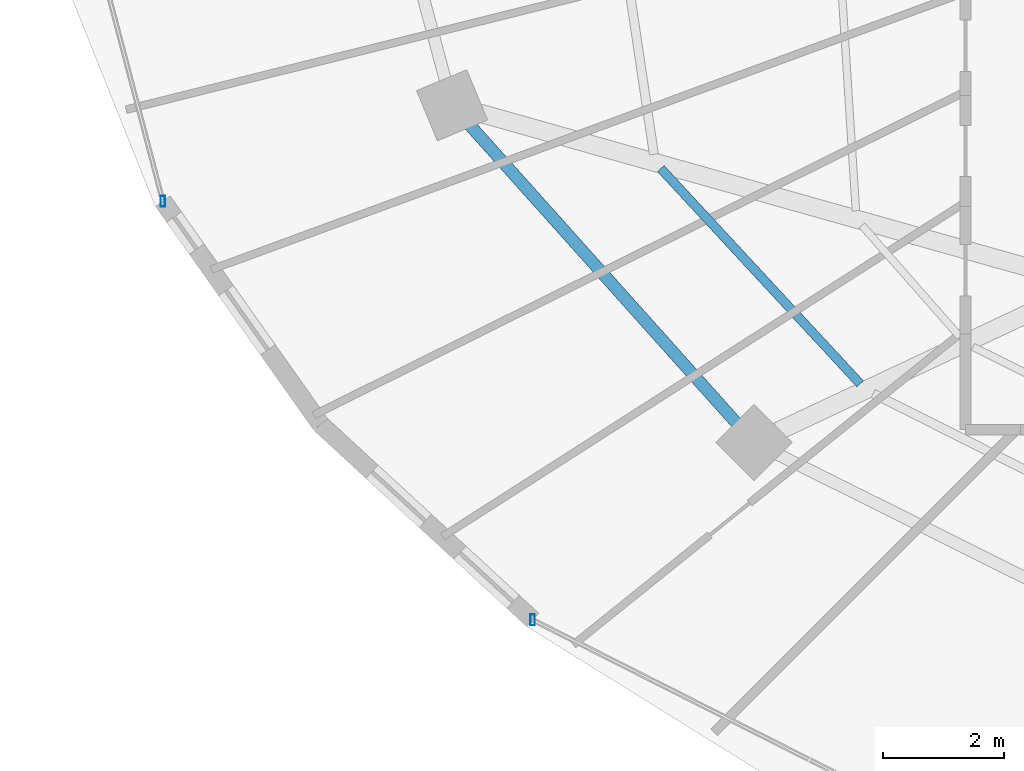
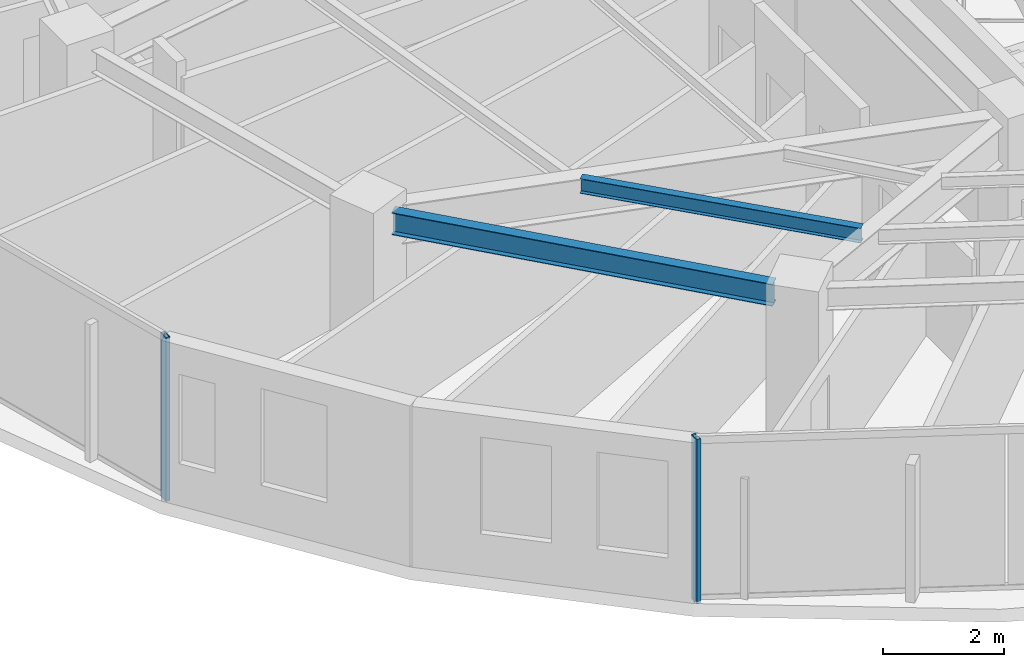
# One storey, part 2 of 33: 2 beams, 2 members, 2 elements without a shape of their own.
"""IFC4 building model written with IfcOpenShell, lengths in metres."""

from ifc_helpers import new_model, si_unit, direction, frame, origin, origin_2d, place, context, subcontext, project, spatial, hollow_rectangle, i_section, extrude, material, material_profile, profile_set, type_object, element, aggregate, save


model = new_model("IFC4")

# Units and contexts
model_context = context("Model", 3, precision=1e-05, world=origin(), true_north=direction((0.0, 1.0)))
body_context = subcontext(model_context, "Body", "Model", "MODEL_VIEW")
ifc_project = project(units=[si_unit("LENGTHUNIT", "METRE"), si_unit("AREAUNIT", "SQUARE_METRE"), si_unit("VOLUMEUNIT", "CUBIC_METRE"), si_unit("PLANEANGLEUNIT", "RADIAN"), si_unit("MASSUNIT", "GRAM", prefix="KILO")], contexts=[model_context])

# Site, building, storey
site_placement = place(None, origin())
site = spatial("IfcSite", under=ifc_project, at=site_placement, CompositionType="ELEMENT")
building_placement = place(site_placement, origin())
building = spatial("IfcBuilding", under=site, at=building_placement, Name="Vorneva Point Tower", CompositionType="ELEMENT")
storey_placement = place(building_placement, frame((0.0, 0.0, 189.60009765625)))
storey = spatial("IfcBuildingStorey", under=building, at=storey_placement, Name="L51", CompositionType="ELEMENT", Elevation=189.60009765625)

# Beams
ifc_material_1 = material(Name="Steel S355", Category="steel")
ifc_material_profile_1 = material_profile(ifc_material_1, i_section(OverallWidth=0.14892578125, OverallDepth=0.298095703125, WebThickness=0.005615234375, FlangeThickness=0.008056640625, at=origin_2d()), Name="30B1")
ifc_profile_set_1 = profile_set([ifc_material_profile_1], Name="Steel S355")
beam_type_1 = type_object("IfcBeamType", Name="BM-JST-30B1", PredefinedType="JOIST", material=ifc_profile_set_1)
beam_1_placement = place(storey_placement, frame((20.158935546875, 18.370849609375, 3.0908203125), z_axis=(0.679528381366, -0.733649220622, 0.0), x_axis=(0.733649220622, 0.679528381366, 0.0)))
element("IfcBeam", 1, at=beam_1_placement, inside=storey, type_object=beam_type_1, Name="L51 Secondary Floor Beam 1.10", PredefinedType="JOIST", context=body_context, shape_type="SweptSolid", body=[
    extrude(i_section(OverallWidth=0.14892578125, OverallDepth=0.298095703125, WebThickness=0.005615234375, FlangeThickness=0.008056640625, at=origin_2d()), origin(), (0.0, 0.0, 1.0), 4.853759765625),
])
ifc_material_profile_2 = material_profile(ifc_material_1, i_section(OverallWidth=0.198974609375, OverallDepth=0.446044921875, WebThickness=0.008056640625, FlangeThickness=0.011962890625, at=origin_2d()), Name="45B1")
ifc_profile_set_2 = profile_set([ifc_material_profile_2], Name="Steel S355")
beam_type_2 = type_object("IfcBeamType", Name="BM-SPN-45B1", PredefinedType="SPANDREL", material=ifc_profile_set_2)
beam_2_placement = place(storey_placement, frame((16.994873046875, 19.09375, 3.016845703125), z_axis=(0.66706970547, -0.744995307397, 0.0), x_axis=(0.744995307397, 0.66706970547, 0.0)))
element("IfcBeam", 2, at=beam_2_placement, inside=storey, type_object=beam_type_2, Name="L51 Perimeter Spandrel Ring Beam 10", PredefinedType="SPANDREL", context=body_context, shape_type="SweptSolid", body=[
    extrude(i_section(OverallWidth=0.198974609375, OverallDepth=0.446044921875, WebThickness=0.008056640625, FlangeThickness=0.011962890625, at=origin_2d()), origin(), (0.0, 0.0, 1.0), 6.6201171875),
])

# Curtain wall, member
ifc_material_2 = material(Name="Pale anodised aluminium", Category="aluminium")
curtain_wall_type = type_object("IfcCurtainWallType", Name="CW-RES-SYS", PredefinedType="NOTDEFINED", material=ifc_material_2)
curtain_wall_1_placement = place(storey_placement, origin())
curtain_wall_1 = element("IfcCurtainWall", 3, at=curtain_wall_1_placement, inside=storey, type_object=curtain_wall_type, Name="L51 Unitised Curtain Wall CW-L51-R03", PredefinedType="NOTDEFINED")
ifc_material_profile_3 = material_profile(ifc_material_2, hollow_rectangle(XDim=0.074951171875, YDim=0.179931640625, WallThickness=0.00390625, at=origin_2d()), Name="AL-MUL 180x75x4")
ifc_profile_set_3 = profile_set([ifc_material_profile_3], Name="Pale anodised aluminium")
member_type = type_object("IfcMemberType", Name="CW-MUL-180", PredefinedType="MULLION", material=ifc_profile_set_3)
member_1_placement = place(storey_placement, frame((11.9189453125, 17.82958984375, -0.0400390625), z_axis=(0.0, 0.0, 1.0), x_axis=(1.0, 0.0, 0.0)))
member_1 = element("IfcMember", 4, at=member_1_placement, type_object=member_type, Name="CW-L51-R03 Mullion 03", PredefinedType="MULLION", context=body_context, shape_type="SweptSolid", body=[
    extrude(hollow_rectangle(XDim=0.074951171875, YDim=0.179931640625, WallThickness=0.00390625, at=origin_2d()), origin(), (0.0, 0.0, 1.0), 3.31005859375),
])
aggregate(curtain_wall_1, [member_1])

curtain_wall_2_placement = place(storey_placement, origin())
curtain_wall_2 = element("IfcCurtainWall", 5, at=curtain_wall_2_placement, inside=storey, type_object=curtain_wall_type, Name="L51 Unitised Curtain Wall CW-L51-R04", PredefinedType="NOTDEFINED")
member_2_placement = place(storey_placement, frame((18.038330078125, 10.9033203125, -0.0400390625), z_axis=(0.0, 0.0, 1.0), x_axis=(1.0, 0.0, 0.0)))
member_2 = element("IfcMember", 6, at=member_2_placement, type_object=member_type, Name="CW-L51-R04 Mullion 01", PredefinedType="MULLION", context=body_context, shape_type="SweptSolid", body=[
    extrude(hollow_rectangle(XDim=0.074951171875, YDim=0.179931640625, WallThickness=0.00390625, at=origin_2d()), origin(), (0.0, 0.0, 1.0), 3.31005859375),
])
aggregate(curtain_wall_2, [member_2])

save(model, "model.ifc")
